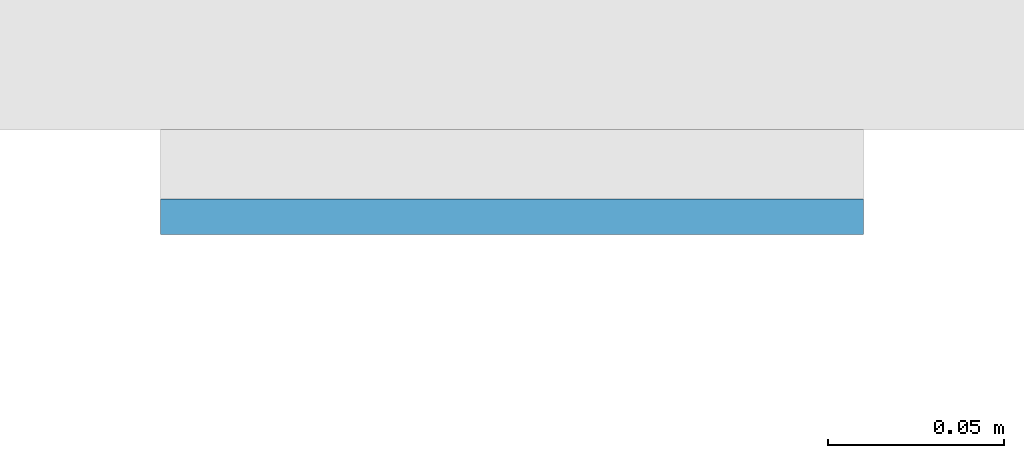
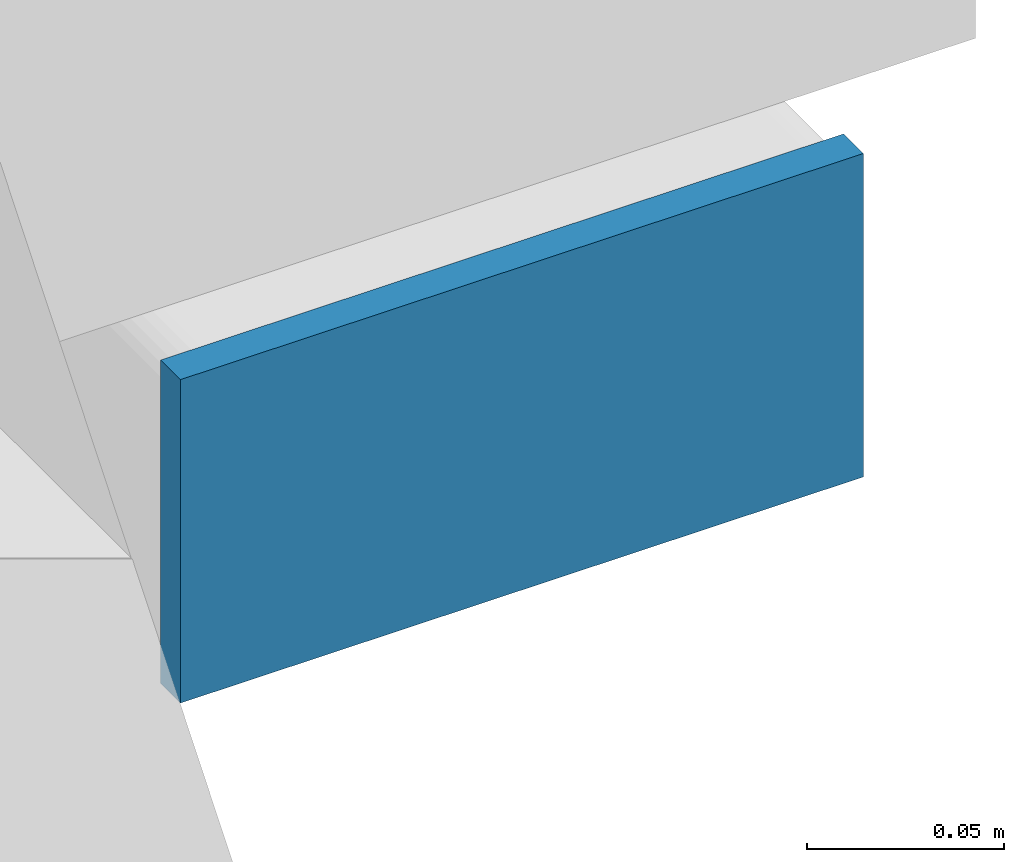
# One storey, part 5 of 10: 1 plate.
"""IFC4 building model written with IfcOpenShell, lengths in metres."""

import ifcopenshell
import ifcopenshell.guid

model = None  # the IFC model being written
_history = None  # IfcOwnerHistory: only IFC2X3 demands one
_inside = {}  # id of a spatial element -> (the spatial element, [elements in it])
_under = {}  # id of a project, library or spatial element -> (it, [spatial elements below it])
_declared = {}  # id of a project -> (the project, [libraries it declares])
_typed = {}  # id of a type object -> (the type object, [elements of that type])
_made_of = {}  # id of a material, layer set ... -> (it, [elements and type objects made of it])


def new_model(schema):
    """Start an empty IFC model of exactly this schema.

    Asked for "IFC4X3", IfcOpenShell would pick the latest addendum, in which some entities
    have other attributes; the version numbers below select the first issue.
    IFC2X3 requires an IfcOwnerHistory on every rooted entity: one is made here for all.
    """
    global model, _history
    if schema == "IFC4X3":
        model = ifcopenshell.file(schema_version=(4, 3, 0, 0))
    else:
        model = ifcopenshell.file(schema=schema)
    _inside.clear()
    _under.clear()
    _declared.clear()
    _typed.clear()
    _made_of.clear()
    _history = None
    if model.schema == "IFC2X3":
        org = make("IfcOrganization", Name="unknown")
        user = make(
            "IfcPersonAndOrganization",
            ThePerson=make("IfcPerson", FamilyName="unknown"),
            TheOrganization=org,
        )
        app = make(
            "IfcApplication",
            ApplicationDeveloper=org,
            Version="unknown",
            ApplicationFullName="unknown",
            ApplicationIdentifier="unknown",
        )
        _history = make(
            "IfcOwnerHistory",
            OwningUser=user,
            OwningApplication=app,
            ChangeAction="ADDED",
            CreationDate=0,
        )
    return model


def make(cls, **values):
    """One entity of the class cls with the attributes given. An attribute that is None is left unset."""
    return model.create_entity(
        cls, **{name: value for name, value in values.items() if value is not None}
    )


def rooted(cls, **values):
    """An entity with a GlobalId (a new one), such as an element, a storey or a relation."""
    return make(cls, GlobalId=ifcopenshell.guid.new(), OwnerHistory=_history, **values)


def si_unit(unit_type, name, prefix=None):
    """IfcSIUnit, for example si_unit("LENGTHUNIT", "METRE", prefix="MILLI")."""
    return make("IfcSIUnit", UnitType=unit_type, Prefix=prefix, Name=name)


def assignment(units):
    """IfcUnitAssignment: the units of a project."""
    return None if units is None else make("IfcUnitAssignment", Units=units)


def point(xyz):
    """IfcCartesianPoint."""
    return None if xyz is None else make("IfcCartesianPoint", Coordinates=xyz)


def direction(xyz):
    """IfcDirection."""
    return None if xyz is None else make("IfcDirection", DirectionRatios=xyz)


def frame(location, z_axis=None, x_axis=None):
    """IfcAxis2Placement3D, a coordinate frame: its origin and axes. An axis left out is left unset."""
    return make(
        "IfcAxis2Placement3D",
        Location=point(location),
        Axis=direction(z_axis),
        RefDirection=direction(x_axis),
    )


def frame_2d(location, x_axis=None):
    """IfcAxis2Placement2D, a coordinate frame in the plane: its origin and x axis."""
    return make(
        "IfcAxis2Placement2D", Location=point(location), RefDirection=direction(x_axis)
    )


def origin():
    """The frame at (0, 0, 0) with its axes left unset."""
    return frame((0.0, 0.0, 0.0))


def origin_2d():
    """The frame at (0, 0) in the plane with its x axis left unset."""
    return frame_2d((0.0, 0.0))


def place(relative_to, where):
    """IfcLocalPlacement: puts the frame where relative to a parent placement (None: the world)."""
    return make(
        "IfcLocalPlacement", PlacementRelTo=relative_to, RelativePlacement=where
    )


def context(
    kind, dimensions, precision=None, world=None, true_north=None, identifier=None
):
    """IfcGeometricRepresentationContext, for example the 3D "Model" context."""
    return make(
        "IfcGeometricRepresentationContext",
        ContextIdentifier=identifier,
        ContextType=kind,
        CoordinateSpaceDimension=dimensions,
        Precision=precision,
        WorldCoordinateSystem=world,
        TrueNorth=true_north,
    )


def subcontext(parent, identifier, kind, view, scale=None):
    """IfcGeometricRepresentationSubContext, for example "Body" below "Model"."""
    return make(
        "IfcGeometricRepresentationSubContext",
        ContextIdentifier=identifier,
        ContextType=kind,
        ParentContext=parent,
        TargetScale=scale,
        TargetView=view,
    )


def project(units=None, contexts=None):
    """IfcProject with its units and contexts."""
    return rooted(
        "IfcProject",
        Name="project",
        RepresentationContexts=contexts,
        UnitsInContext=assignment(units),
    )


def spatial(cls, under=None, at=None, **own):
    """A site, building, storey or space (cls), placed at a placement, below another one or the project."""
    s = rooted(cls, ObjectPlacement=at, **own)
    if under is not None:
        _under.setdefault(under.id(), (under, []))[1].append(s)
    return s


def profile(cls, at=None, kind="AREA", **sizes):
    """A parametric profile (cls). Its sizes go by their IFC names, for example OverallWidth=200.0."""
    return make(cls, ProfileType=kind, Position=at, **sizes)


def rectangle(**sizes):
    """IfcRectangleProfileDef."""
    return profile("IfcRectangleProfileDef", **sizes)


def extrude(swept, where, along, depth):
    """IfcExtrudedAreaSolid: the profile swept, set in the frame where, extruded along a direction by depth."""
    return make(
        "IfcExtrudedAreaSolid",
        SweptArea=swept,
        Position=where,
        ExtrudedDirection=direction(along),
        Depth=depth,
    )


def shape(context_of_items, identifier, shape_type, items):
    """IfcShapeRepresentation: the items that make up one representation, for example the "Body"."""
    return make(
        "IfcShapeRepresentation",
        ContextOfItems=context_of_items,
        RepresentationIdentifier=identifier,
        RepresentationType=shape_type,
        Items=items,
    )


def material(Name=None, Category=None):
    """IfcMaterial."""
    return make("IfcMaterial", Name=Name, Category=Category)


def layer(
    of_material, thickness, ventilated=None, Name=None, Category=None, Priority=None
):
    """IfcMaterialLayer: one layer of a wall or slab, of a material (None: an air gap)."""
    return make(
        "IfcMaterialLayer",
        Material=of_material,
        LayerThickness=thickness,
        IsVentilated=ventilated,
        Name=Name,
        Category=Category,
        Priority=Priority,
    )


def layer_set(layers, Name=None):
    """IfcMaterialLayerSet."""
    return make("IfcMaterialLayerSet", MaterialLayers=layers, LayerSetName=Name)


def made_of(thing, what):
    """Note that an element or type object is made of a material, layer set ...; save() writes the relation."""
    if what is not None:
        _made_of.setdefault(what.id(), (what, []))[1].append(thing)
    return thing


def type_object(cls, material=None, **own):
    """A type object (cls), such as IfcWallType, which elements share."""
    return made_of(rooted(cls, **own), material)


def element(
    cls,
    number,
    at=None,
    inside=None,
    cuts=None,
    type_object=None,
    material=None,
    context=None,
    identifier="Body",
    shape_type=None,
    held_by="IfcProductDefinitionShape",
    body=None,
    shapes=None,
    **own,
):
    """One element of the class cls, such as IfcWall. Its Tag is "e" and its number.

    at: its placement. inside: the storey or other place that contains it. cuts: it is an
    opening in that element (IfcRelVoidsElement). A single representation is given by context,
    identifier, shape_type and body (its items); several are given by shapes. held_by: the class
    of the entity that holds the representations. save() writes the other relations.
    """
    e = rooted(cls, Tag="e%d" % number, ObjectPlacement=at, **own)
    if body is not None:
        shapes = [shape(context, identifier, shape_type, body)]
    if shapes is not None:
        e.Representation = make(held_by, Representations=shapes)
    if inside is not None:
        _inside.setdefault(inside.id(), (inside, []))[1].append(e)
    if cuts is not None:
        rooted(
            "IfcRelVoidsElement", RelatingBuildingElement=cuts, RelatedOpeningElement=e
        )
    if type_object is not None:
        _typed.setdefault(type_object.id(), (type_object, []))[1].append(e)
    return made_of(e, material)


def aggregate(whole, parts):
    """IfcRelAggregates: a whole, such as a stair, and the parts it consists of."""
    return rooted("IfcRelAggregates", RelatingObject=whole, RelatedObjects=parts)


def save(model, path):
    """Write the relations noted so far, then the file.

    IfcRelAggregates (storeys below a building ...), IfcRelContainedInSpatialStructure (elements
    in a storey), IfcRelDefinesByType, IfcRelAssociatesMaterial and IfcRelDeclares: one each for
    every whole, place, type object, material and project.
    """
    for whole, parts in _under.values():
        aggregate(whole, parts)
    for where, things in _inside.values():
        rooted(
            "IfcRelContainedInSpatialStructure",
            RelatedElements=things,
            RelatingStructure=where,
        )
    for kind, things in _typed.values():
        rooted("IfcRelDefinesByType", RelatedObjects=things, RelatingType=kind)
    for what, things in _made_of.values():
        rooted("IfcRelAssociatesMaterial", RelatedObjects=things, RelatingMaterial=what)
    for by, libraries in _declared.values():
        rooted("IfcRelDeclares", RelatingContext=by, RelatedDefinitions=libraries)
    model.write(path)


model = new_model("IFC4")

# Units and contexts
model_context = context("Model", 3, precision=1e-05, world=origin(), true_north=direction((0.0, 1.0)))
body_context = subcontext(model_context, "Body", "Model", "MODEL_VIEW")
ifc_project = project(units=[si_unit("LENGTHUNIT", "METRE"), si_unit("AREAUNIT", "SQUARE_METRE"), si_unit("VOLUMEUNIT", "CUBIC_METRE"), si_unit("PLANEANGLEUNIT", "RADIAN"), si_unit("MASSUNIT", "GRAM", prefix="KILO")], contexts=[model_context])

# Site, building, storey
site_placement = place(None, origin())
site = spatial("IfcSite", under=ifc_project, at=site_placement, CompositionType="ELEMENT")
building_placement = place(site_placement, origin())
building = spatial("IfcBuilding", under=site, at=building_placement, Name="Cleftline Residences", CompositionType="ELEMENT")
storey_placement = place(building_placement, frame((0.0, 0.0, 277.199951171875)))
storey = spatial("IfcBuildingStorey", under=building, at=storey_placement, Name="L73", CompositionType="ELEMENT", Elevation=277.199951171875)

# Plate
ifc_material = material(Name="Steel S355, hot-dip galvanised", Category="steel")
ifc_layer = layer(ifc_material, 0.010009765625)
ifc_layer_set = layer_set([ifc_layer], Name="BAGUETTE CARRIER END PLATE 200X100X10")
plate_type = type_object("IfcPlateType", Name="BAGUETTE CARRIER END PLATE 200X100X10", PredefinedType="USERDEFINED", material=ifc_layer_set)
plate_placement = place(storey_placement, frame((66.85009765625, 3.695068359375, -0.10009765625), z_axis=(0.0, 0.0, 1.0), x_axis=(1.0, 0.0, 0.0)))
element("IfcPlate", 1, at=plate_placement, inside=storey, type_object=plate_type, Name="Baguette carrier end plate", ObjectType="BAGUETTE CARRIER END PLATE", PredefinedType="USERDEFINED", context=body_context, shape_type="SweptSolid", body=[
    extrude(rectangle(XDim=0.199951171875, YDim=0.010009765625, at=origin_2d()), origin(), (0.0, 0.0, 1.0), 0.10009765625),
])

save(model, "model.ifc")
